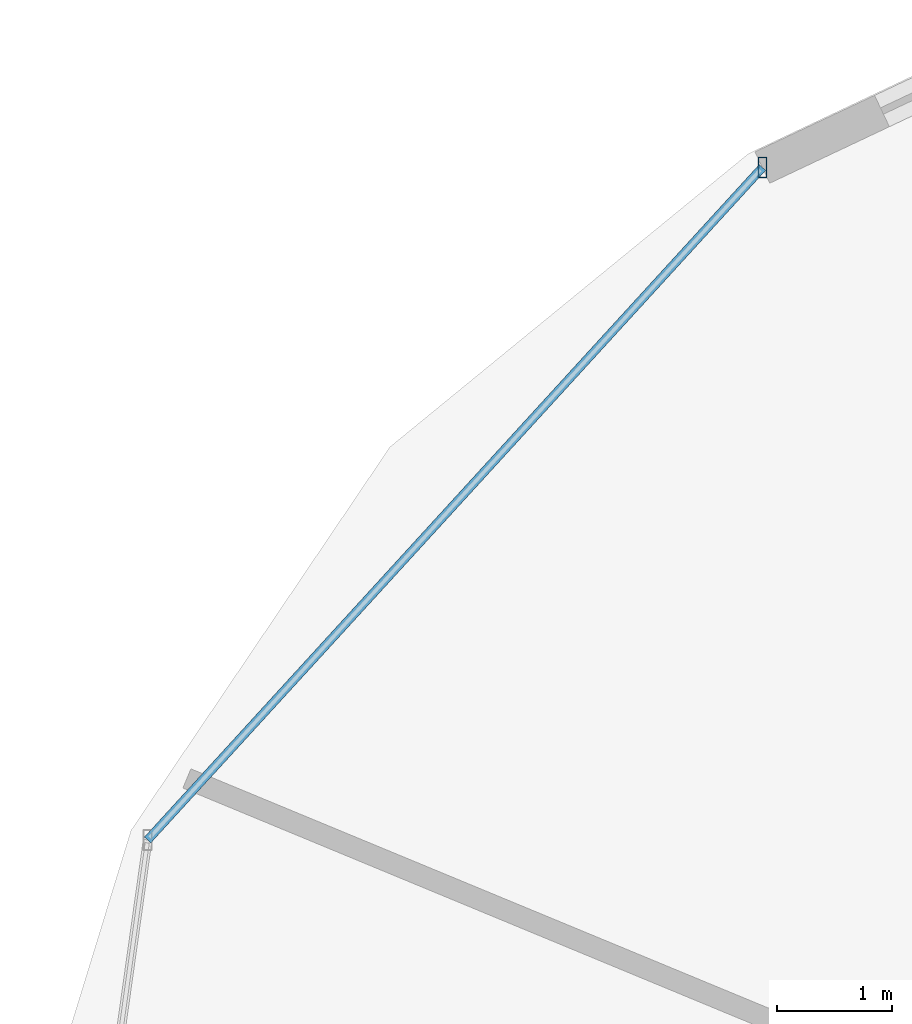
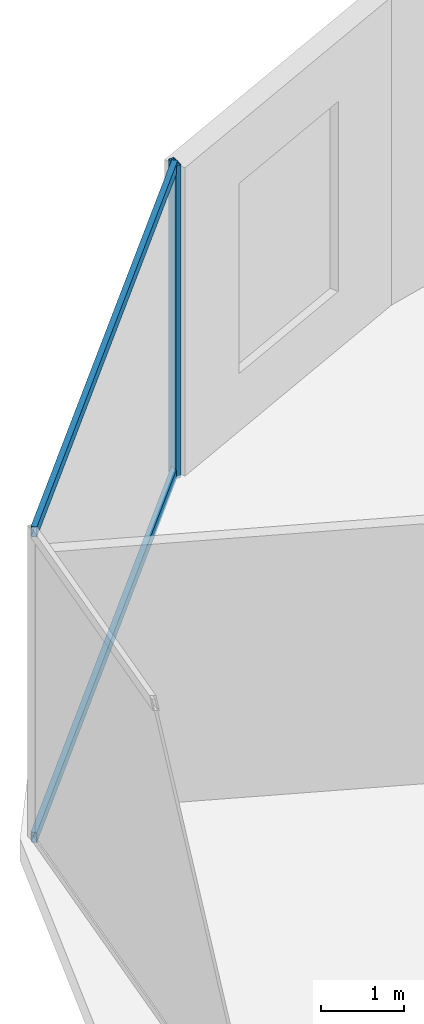
# One storey, part 15 of 32: 3 members, 1 element without a shape of its own.
"""IFC4 building model written with IfcOpenShell, lengths in metres."""

from ifc_helpers import new_model, si_unit, direction, frame, origin, origin_2d, place, context, subcontext, project, spatial, hollow_rectangle, extrude, material, material_profile, profile_set, type_object, element, aggregate, save


model = new_model("IFC4")

# Units and contexts
model_context = context("Model", 3, precision=1e-05, world=origin(), true_north=direction((0.0, 1.0)))
body_context = subcontext(model_context, "Body", "Model", "MODEL_VIEW")
ifc_project = project(units=[si_unit("LENGTHUNIT", "METRE"), si_unit("AREAUNIT", "SQUARE_METRE"), si_unit("VOLUMEUNIT", "CUBIC_METRE"), si_unit("PLANEANGLEUNIT", "RADIAN"), si_unit("MASSUNIT", "GRAM", prefix="KILO")], contexts=[model_context])

# Site, building, storey
site_placement = place(None, origin())
site = spatial("IfcSite", under=ifc_project, at=site_placement, CompositionType="ELEMENT")
building_placement = place(site_placement, origin())
building = spatial("IfcBuilding", under=site, at=building_placement, Name="Vorneva Point Tower", CompositionType="ELEMENT")
storey_placement = place(building_placement, frame((0.0, 0.0, 19.199951171875)))
storey = spatial("IfcBuildingStorey", under=building, at=storey_placement, Name="L04", CompositionType="ELEMENT", Elevation=19.199951171875)

# Curtain wall, members
ifc_material = material(Name="Pale anodised aluminium", Category="aluminium")
curtain_wall_type = type_object("IfcCurtainWallType", Name="CW-POD-SYS", PredefinedType="NOTDEFINED", material=ifc_material)
curtain_wall_placement = place(storey_placement, origin())
curtain_wall = element("IfcCurtainWall", 1, at=curtain_wall_placement, inside=storey, type_object=curtain_wall_type, Name="L04 Unitised Curtain Wall CW-L04-R03", PredefinedType="NOTDEFINED")
ifc_material_profile_1 = material_profile(ifc_material, hollow_rectangle(XDim=0.074951171875, YDim=0.179931640625, WallThickness=0.00390625, at=origin_2d()), Name="AL-MUL 180x75x4")
ifc_profile_set_1 = profile_set([ifc_material_profile_1], Name="Pale anodised aluminium")
member_type_1 = type_object("IfcMemberType", Name="CW-MUL-180", PredefinedType="MULLION", material=ifc_profile_set_1)
member_1_placement = place(storey_placement, frame((10.581298828125, 44.721923828125, -0.0400390625), z_axis=(0.0, 0.0, 1.0), x_axis=(1.0, 0.0, 0.0)))
member_1 = element("IfcMember", 2, at=member_1_placement, type_object=member_type_1, Name="CW-L04-R03 Mullion 01", PredefinedType="MULLION", context=body_context, shape_type="SweptSolid", body=[
    extrude(hollow_rectangle(XDim=0.074951171875, YDim=0.179931640625, WallThickness=0.00390625, at=origin_2d()), origin(), (0.0, 0.0, 1.0), 4.610107421875),
])
ifc_material_profile_2 = material_profile(ifc_material, hollow_rectangle(XDim=0.074951171875, YDim=0.14990234375, WallThickness=0.00390625, at=origin_2d()), Name="AL-TRN 150x75x4")
ifc_profile_set_2 = profile_set([ifc_material_profile_2], Name="Pale anodised aluminium")
member_type_2 = type_object("IfcMemberType", Name="CW-TRN-150", PredefinedType="USERDEFINED", material=ifc_profile_set_2)
member_2_placement = place(storey_placement, frame((10.581298828125, 44.721923828125, 0.02001953125), z_axis=(-0.674755734316, -0.738041122843, 0.0), x_axis=(0.738041122843, -0.674755734316, 0.0)))
member_2 = element("IfcMember", 3, at=member_2_placement, type_object=member_type_2, Name="CW-L04-R03 Transom 01.1", ObjectType="TRANSOM", PredefinedType="USERDEFINED", context=body_context, shape_type="SweptSolid", body=[
    extrude(hollow_rectangle(XDim=0.074951171875, YDim=0.14990234375, WallThickness=0.00390625, at=origin_2d()), origin(), (0.0, 0.0, 1.0), 7.900634765625),
])
member_3_placement = place(storey_placement, frame((10.581298828125, 44.721923828125, 4.52001953125), z_axis=(-0.674755734316, -0.738041122843, 0.0), x_axis=(0.738041122843, -0.674755734316, 0.0)))
member_3 = element("IfcMember", 4, at=member_3_placement, type_object=member_type_2, Name="CW-L04-R03 Transom 01.2", ObjectType="TRANSOM", PredefinedType="USERDEFINED", context=body_context, shape_type="SweptSolid", body=[
    extrude(hollow_rectangle(XDim=0.074951171875, YDim=0.14990234375, WallThickness=0.00390625, at=origin_2d()), origin(), (0.0, 0.0, 1.0), 7.900634765625),
])
aggregate(curtain_wall, [member_1, member_2, member_3])

save(model, "model.ifc")
